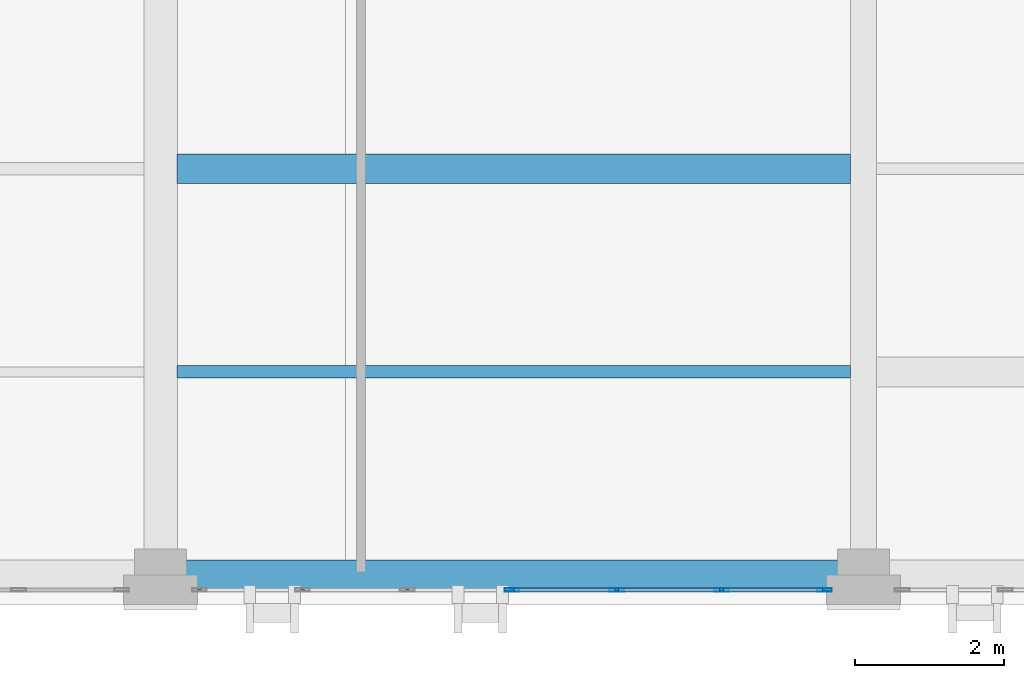
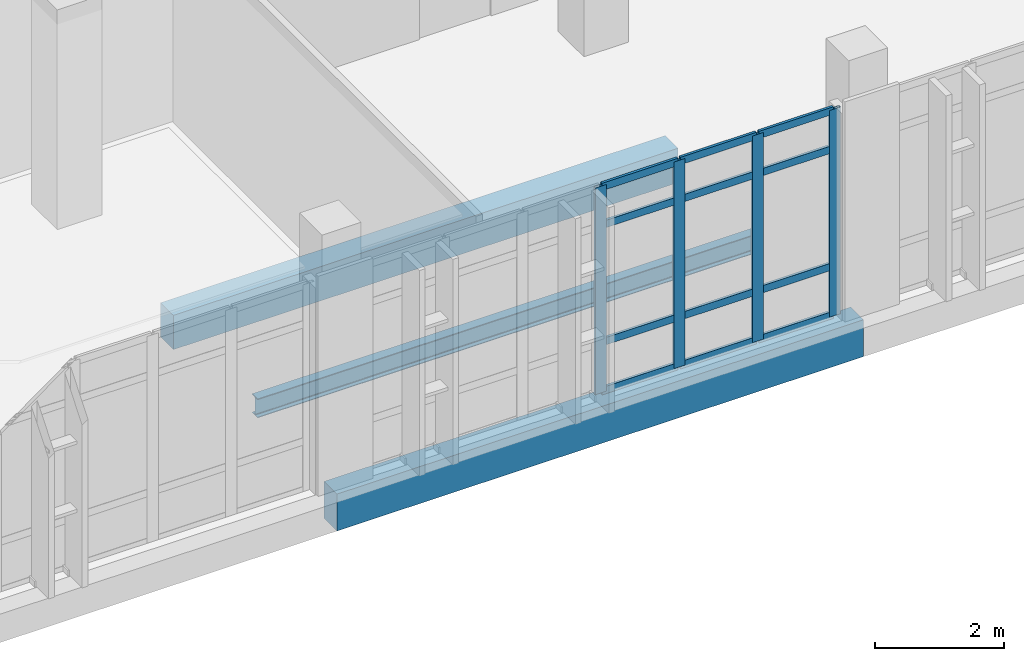
# One storey, part 43 of 158: 16 members, 3 beams, 1 element without a shape of its own.
"""IFC4 building model written with IfcOpenShell, lengths in metres."""

from ifc_helpers import new_model, si_unit, direction, frame, origin, origin_2d, place, context, subcontext, project, spatial, rectangle, hollow_rectangle, i_section, extrude, material, layer, layer_set, material_profile, profile_set, type_object, element, aggregate, save


model = new_model("IFC4")

# Units and contexts
model_context = context("Model", 3, precision=1e-05, world=origin(), true_north=direction((0.0, 1.0)))
body_context = subcontext(model_context, "Body", "Model", "MODEL_VIEW")
ifc_project = project(units=[si_unit("LENGTHUNIT", "METRE"), si_unit("AREAUNIT", "SQUARE_METRE"), si_unit("VOLUMEUNIT", "CUBIC_METRE"), si_unit("PLANEANGLEUNIT", "RADIAN"), si_unit("MASSUNIT", "GRAM", prefix="KILO")], contexts=[model_context])

# Site, building, storey
site_placement = place(None, origin())
site = spatial("IfcSite", under=ifc_project, at=site_placement, CompositionType="ELEMENT")
building_placement = place(site_placement, origin())
building = spatial("IfcBuilding", under=site, at=building_placement, Name="Qalavern Law Courts", CompositionType="ELEMENT")
storey_placement = place(building_placement, frame((0.0, 0.0, 18.60009765625)))
storey = spatial("IfcBuildingStorey", under=building, at=storey_placement, Name="L04", CompositionType="ELEMENT", Elevation=18.60009765625)

# Curtain wall, members
ifc_material_1 = material(Name="Anodised aluminium and insulated glazing", Category="aluminium")
ifc_layer = layer(ifc_material_1, 0.18505859375)
ifc_layer_set = layer_set([ifc_layer], Name="Anodised aluminium and insulated glazing")
curtain_wall_type = type_object("IfcCurtainWallType", Name="ENV-CW-HALL", PredefinedType="USERDEFINED", material=ifc_layer_set)
curtain_wall_placement = place(storey_placement, origin())
curtain_wall = element("IfcCurtainWall", 1, at=curtain_wall_placement, inside=storey, type_object=curtain_wall_type, Name="V2 unitised curtain wall L04 south 4", ObjectType="UNITISED CURTAIN WALL", PredefinedType="USERDEFINED")
ifc_material_2 = material(Name="Anodised aluminium", Category="aluminium")
ifc_material_profile_1 = material_profile(ifc_material_2, hollow_rectangle(XDim=0.048095703125, YDim=0.199951171875, WallThickness=0.00439453125, at=origin_2d()), Name="ALU MULLION 48x200")
ifc_profile_set_1 = profile_set([ifc_material_profile_1], Name="Anodised aluminium")
member_type_1 = type_object("IfcMemberType", Name="ENV-CWM-48x200", PredefinedType="MULLION", material=ifc_profile_set_1)
member_1_placement = place(storey_placement, frame((77.164306640625, 5.39990234375, 0.0), z_axis=(0.0, 0.0, 1.0), x_axis=(0.0, 1.0, 0.0)))
member_1 = element("IfcMember", 2, at=member_1_placement, type_object=member_type_1, Name="CW-02 mullion 4", PredefinedType="MULLION", context=body_context, shape_type="SweptSolid", body=[
    extrude(hollow_rectangle(XDim=0.048095703125, YDim=0.199951171875, WallThickness=0.00439453125, at=origin_2d()), origin(), (0.0, 0.0, 1.0), 3.9248046875),
])
member_2_placement = place(storey_placement, frame((78.5732421875, 5.39990234375, 0.0), z_axis=(0.0, 0.0, 1.0), x_axis=(0.0, 1.0, 0.0)))
member_2 = element("IfcMember", 3, at=member_2_placement, type_object=member_type_1, Name="CW-02 mullion 5", PredefinedType="MULLION", context=body_context, shape_type="SweptSolid", body=[
    extrude(hollow_rectangle(XDim=0.048095703125, YDim=0.199951171875, WallThickness=0.00439453125, at=origin_2d()), origin(), (0.0, 0.0, 1.0), 3.9248046875),
])
member_3_placement = place(storey_placement, frame((79.982421875, 5.39990234375, 0.0), z_axis=(0.0, 0.0, 1.0), x_axis=(0.0, 1.0, 0.0)))
member_3 = element("IfcMember", 4, at=member_3_placement, type_object=member_type_1, Name="CW-02 mullion 6", PredefinedType="MULLION", context=body_context, shape_type="SweptSolid", body=[
    extrude(hollow_rectangle(XDim=0.048095703125, YDim=0.199951171875, WallThickness=0.00439453125, at=origin_2d()), origin(), (0.0, 0.0, 1.0), 3.9248046875),
])
member_4_placement = place(storey_placement, frame((81.367431640625, 5.39990234375, 0.0), z_axis=(0.0, 0.0, 1.0), x_axis=(0.0, 1.0, 0.0)))
member_4 = element("IfcMember", 5, at=member_4_placement, type_object=member_type_1, Name="CW-02 mullion 7", PredefinedType="MULLION", context=body_context, shape_type="SweptSolid", body=[
    extrude(hollow_rectangle(XDim=0.048095703125, YDim=0.199951171875, WallThickness=0.00439453125, at=origin_2d()), origin(), (0.0, 0.0, 1.0), 3.9248046875),
])
ifc_material_profile_2 = material_profile(ifc_material_2, hollow_rectangle(XDim=0.048095703125, YDim=0.139892578125, WallThickness=0.00390625, at=origin_2d()), Name="ALU TRANSOM 48x140")
ifc_profile_set_2 = profile_set([ifc_material_profile_2], Name="Anodised aluminium")
member_type_2 = type_object("IfcMemberType", Name="ENV-CWT-48x140", PredefinedType="USERDEFINED", material=ifc_profile_set_2)
member_5_placement = place(storey_placement, frame((77.188232421875, 5.39990234375, 0.02392578125), z_axis=(1.0, 0.0, 0.0), x_axis=(0.0, 1.0, 0.0)))
member_5 = element("IfcMember", 6, at=member_5_placement, type_object=member_type_2, Name="CW-02 transom 4.1", ObjectType="TRANSOM", PredefinedType="USERDEFINED", context=body_context, shape_type="SweptSolid", body=[
    extrude(hollow_rectangle(XDim=0.048095703125, YDim=0.139892578125, WallThickness=0.00390625, at=origin_2d()), origin(), (0.0, 0.0, 1.0), 1.361083984375),
])
member_6_placement = place(storey_placement, frame((77.188232421875, 5.39990234375, 0.949951171875), z_axis=(1.0, 0.0, 0.0), x_axis=(0.0, 1.0, 0.0)))
member_6 = element("IfcMember", 7, at=member_6_placement, type_object=member_type_2, Name="CW-02 transom 4.2", ObjectType="TRANSOM", PredefinedType="USERDEFINED", context=body_context, shape_type="SweptSolid", body=[
    extrude(hollow_rectangle(XDim=0.048095703125, YDim=0.139892578125, WallThickness=0.00390625, at=origin_2d()), origin(), (0.0, 0.0, 1.0), 1.361083984375),
])
member_7_placement = place(storey_placement, frame((77.188232421875, 5.39990234375, 3.1748046875), z_axis=(1.0, 0.0, 0.0), x_axis=(0.0, 1.0, 0.0)))
member_7 = element("IfcMember", 8, at=member_7_placement, type_object=member_type_2, Name="CW-02 transom 4.3", ObjectType="TRANSOM", PredefinedType="USERDEFINED", context=body_context, shape_type="SweptSolid", body=[
    extrude(hollow_rectangle(XDim=0.048095703125, YDim=0.139892578125, WallThickness=0.00390625, at=origin_2d()), origin(), (0.0, 0.0, 1.0), 1.361083984375),
])
member_8_placement = place(storey_placement, frame((77.188232421875, 5.39990234375, 3.90087890625), z_axis=(1.0, 0.0, 0.0), x_axis=(0.0, 1.0, 0.0)))
member_8 = element("IfcMember", 9, at=member_8_placement, type_object=member_type_2, Name="CW-02 transom 4.4", ObjectType="TRANSOM", PredefinedType="USERDEFINED", context=body_context, shape_type="SweptSolid", body=[
    extrude(hollow_rectangle(XDim=0.048095703125, YDim=0.139892578125, WallThickness=0.00390625, at=origin_2d()), origin(), (0.0, 0.0, 1.0), 1.361083984375),
])
member_9_placement = place(storey_placement, frame((78.597412109375, 5.39990234375, 0.02392578125), z_axis=(1.0, 0.0, 0.0), x_axis=(0.0, 1.0, 0.0)))
member_9 = element("IfcMember", 10, at=member_9_placement, type_object=member_type_2, Name="CW-02 transom 5.1", ObjectType="TRANSOM", PredefinedType="USERDEFINED", context=body_context, shape_type="SweptSolid", body=[
    extrude(hollow_rectangle(XDim=0.048095703125, YDim=0.139892578125, WallThickness=0.00390625, at=origin_2d()), origin(), (0.0, 0.0, 1.0), 1.36083984375),
])
member_10_placement = place(storey_placement, frame((78.597412109375, 5.39990234375, 0.949951171875), z_axis=(1.0, 0.0, 0.0), x_axis=(0.0, 1.0, 0.0)))
member_10 = element("IfcMember", 11, at=member_10_placement, type_object=member_type_2, Name="CW-02 transom 5.2", ObjectType="TRANSOM", PredefinedType="USERDEFINED", context=body_context, shape_type="SweptSolid", body=[
    extrude(hollow_rectangle(XDim=0.048095703125, YDim=0.139892578125, WallThickness=0.00390625, at=origin_2d()), origin(), (0.0, 0.0, 1.0), 1.36083984375),
])
member_11_placement = place(storey_placement, frame((78.597412109375, 5.39990234375, 3.1748046875), z_axis=(1.0, 0.0, 0.0), x_axis=(0.0, 1.0, 0.0)))
member_11 = element("IfcMember", 12, at=member_11_placement, type_object=member_type_2, Name="CW-02 transom 5.3", ObjectType="TRANSOM", PredefinedType="USERDEFINED", context=body_context, shape_type="SweptSolid", body=[
    extrude(hollow_rectangle(XDim=0.048095703125, YDim=0.139892578125, WallThickness=0.00390625, at=origin_2d()), origin(), (0.0, 0.0, 1.0), 1.36083984375),
])
member_12_placement = place(storey_placement, frame((78.597412109375, 5.39990234375, 3.90087890625), z_axis=(1.0, 0.0, 0.0), x_axis=(0.0, 1.0, 0.0)))
member_12 = element("IfcMember", 13, at=member_12_placement, type_object=member_type_2, Name="CW-02 transom 5.4", ObjectType="TRANSOM", PredefinedType="USERDEFINED", context=body_context, shape_type="SweptSolid", body=[
    extrude(hollow_rectangle(XDim=0.048095703125, YDim=0.139892578125, WallThickness=0.00390625, at=origin_2d()), origin(), (0.0, 0.0, 1.0), 1.36083984375),
])
member_13_placement = place(storey_placement, frame((80.00634765625, 5.39990234375, 0.02392578125), z_axis=(1.0, 0.0, 0.0), x_axis=(0.0, 1.0, 0.0)))
member_13 = element("IfcMember", 14, at=member_13_placement, type_object=member_type_2, Name="CW-02 transom 6.1", ObjectType="TRANSOM", PredefinedType="USERDEFINED", context=body_context, shape_type="SweptSolid", body=[
    extrude(hollow_rectangle(XDim=0.048095703125, YDim=0.139892578125, WallThickness=0.00390625, at=origin_2d()), origin(), (0.0, 0.0, 1.0), 1.337158203125),
])
member_14_placement = place(storey_placement, frame((80.00634765625, 5.39990234375, 0.949951171875), z_axis=(1.0, 0.0, 0.0), x_axis=(0.0, 1.0, 0.0)))
member_14 = element("IfcMember", 15, at=member_14_placement, type_object=member_type_2, Name="CW-02 transom 6.2", ObjectType="TRANSOM", PredefinedType="USERDEFINED", context=body_context, shape_type="SweptSolid", body=[
    extrude(hollow_rectangle(XDim=0.048095703125, YDim=0.139892578125, WallThickness=0.00390625, at=origin_2d()), origin(), (0.0, 0.0, 1.0), 1.337158203125),
])
member_15_placement = place(storey_placement, frame((80.00634765625, 5.39990234375, 3.1748046875), z_axis=(1.0, 0.0, 0.0), x_axis=(0.0, 1.0, 0.0)))
member_15 = element("IfcMember", 16, at=member_15_placement, type_object=member_type_2, Name="CW-02 transom 6.3", ObjectType="TRANSOM", PredefinedType="USERDEFINED", context=body_context, shape_type="SweptSolid", body=[
    extrude(hollow_rectangle(XDim=0.048095703125, YDim=0.139892578125, WallThickness=0.00390625, at=origin_2d()), origin(), (0.0, 0.0, 1.0), 1.337158203125),
])
member_16_placement = place(storey_placement, frame((80.00634765625, 5.39990234375, 3.90087890625), z_axis=(1.0, 0.0, 0.0), x_axis=(0.0, 1.0, 0.0)))
member_16 = element("IfcMember", 17, at=member_16_placement, type_object=member_type_2, Name="CW-02 transom 6.4", ObjectType="TRANSOM", PredefinedType="USERDEFINED", context=body_context, shape_type="SweptSolid", body=[
    extrude(hollow_rectangle(XDim=0.048095703125, YDim=0.139892578125, WallThickness=0.00390625, at=origin_2d()), origin(), (0.0, 0.0, 1.0), 1.337158203125),
])
aggregate(curtain_wall, [member_1, member_2, member_3, member_4, member_5, member_6, member_7, member_8, member_9, member_10, member_11, member_12, member_13, member_14, member_15, member_16])

# Beams
ifc_material_3 = material(Name="Steel S355", Category="steel")
ifc_material_profile_3 = material_profile(ifc_material_3, i_section(OverallWidth=0.169921875, OverallDepth=0.360107421875, WebThickness=0.008056640625, FlangeThickness=0.0126953125, FilletRadius=0.01806640625, at=origin_2d()), Name="IPE 360")
ifc_profile_set_3 = profile_set([ifc_material_profile_3], Name="Steel S355")
beam_type_1 = type_object("IfcBeamType", Name="STR-JST-IPE360", PredefinedType="JOIST", material=ifc_profile_set_3)
beam_1_placement = place(storey_placement, frame((72.66015625, 8.333251953125, -0.460205078125), z_axis=(1.0, 0.0, 0.0), x_axis=(0.0, 1.0, 0.0)))
element("IfcBeam", 18, at=beam_1_placement, inside=storey, type_object=beam_type_1, Name="V2 secondary joist 5.1.1 L04", PredefinedType="JOIST", context=body_context, shape_type="SweptSolid", body=[
    extrude(i_section(OverallWidth=0.169921875, OverallDepth=0.360107421875, WebThickness=0.008056640625, FlangeThickness=0.0126953125, FilletRadius=0.01806640625, at=origin_2d()), origin(), (0.0, 0.0, 1.0), 9.058349609375),
])
ifc_material_4 = material(Name="Concrete C35/45", Category="concrete")
ifc_material_profile_4 = material_profile(ifc_material_4, rectangle(XDim=0.39990234375, YDim=0.64990234375, at=origin_2d()), Name="RC 400x650")
ifc_profile_set_4 = profile_set([ifc_material_profile_4], Name="Concrete C35/45")
beam_type_2 = type_object("IfcBeamType", Name="STR-JST-RC400x650", PredefinedType="JOIST", material=ifc_profile_set_4)
beam_2_placement = place(storey_placement, frame((72.66015625, 11.066650390625, -0.60498046875), z_axis=(1.0, 0.0, 0.0), x_axis=(0.0, 1.0, 0.0)))
element("IfcBeam", 19, at=beam_2_placement, inside=storey, type_object=beam_type_2, Name="V2 secondary joist 5.1.2 L04", PredefinedType="JOIST", context=body_context, shape_type="SweptSolid", body=[
    extrude(rectangle(XDim=0.39990234375, YDim=0.64990234375, at=origin_2d()), origin(), (0.0, 0.0, 1.0), 9.058349609375),
])
ifc_material_5 = material(Name="Concrete C40/50", Category="concrete")
ifc_material_profile_5 = material_profile(ifc_material_5, rectangle(XDim=0.39990234375, YDim=0.699951171875, at=origin_2d()), Name="RC 400x700")
ifc_profile_set_5 = profile_set([ifc_material_profile_5], Name="Concrete C40/50")
beam_type_3 = type_object("IfcBeamType", Name="STR-SP-RC400x700", PredefinedType="SPANDREL", material=ifc_profile_set_5)
beam_3_placement = place(storey_placement, frame((72.43701171875, 5.60009765625, -0.630126953125), z_axis=(1.0, 0.0, 0.0), x_axis=(0.0, 1.0, 0.0)))
element("IfcBeam", 20, at=beam_3_placement, inside=storey, type_object=beam_type_3, Name="V2 X-beam 1-5 L04", PredefinedType="SPANDREL", context=body_context, shape_type="SweptSolid", body=[
    extrude(rectangle(XDim=0.39990234375, YDim=0.699951171875, at=origin_2d()), origin(), (0.0, 0.0, 1.0), 9.454345703125),
])

save(model, "model.ifc")
